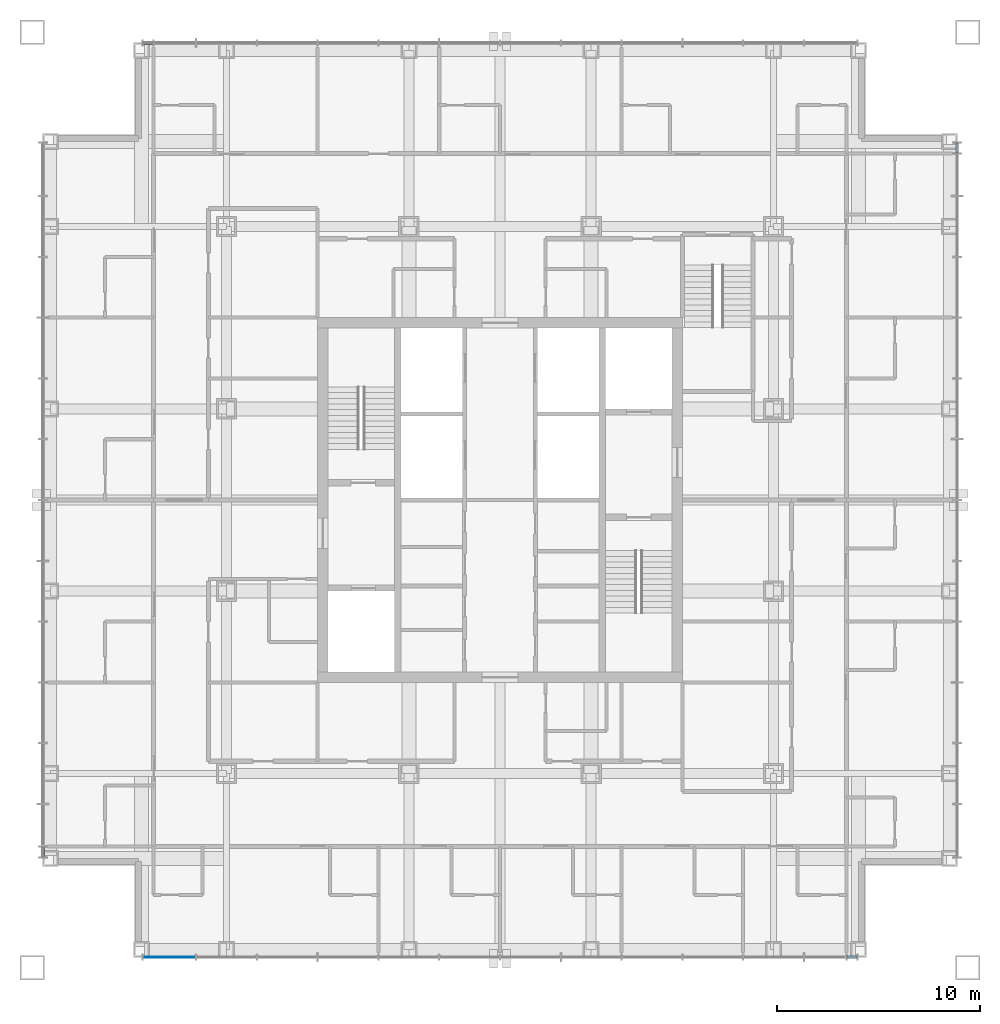
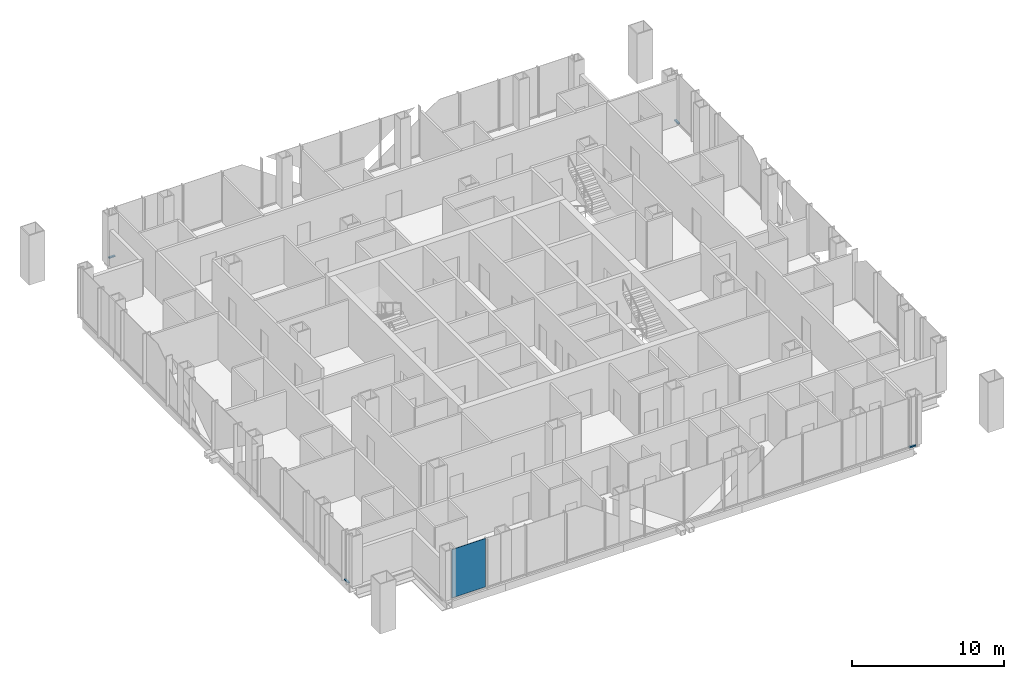
# One storey, part 6 of 17: 4 members, 1 plate, 4 elements without a shape of their own.
"""IFC4 building model written with IfcOpenShell, lengths in metres."""

from ifc_helpers import new_model, si_unit, direction, frame, origin, origin_2d, place, context, subcontext, project, spatial, rectangle, extrude, material, layer, layer_set, material_profile, profile_set, type_object, element, aggregate, save


model = new_model("IFC4")

# Units and contexts
model_context = context("Model", 3, precision=1e-05, world=origin(), true_north=direction((0.0, 1.0)))
body_context = subcontext(model_context, "Body", "Model", "MODEL_VIEW")
ifc_project = project(units=[si_unit("LENGTHUNIT", "METRE"), si_unit("AREAUNIT", "SQUARE_METRE"), si_unit("VOLUMEUNIT", "CUBIC_METRE"), si_unit("PLANEANGLEUNIT", "RADIAN"), si_unit("MASSUNIT", "GRAM", prefix="KILO")], contexts=[model_context])

# Site, building, storey
site_placement = place(None, origin())
site = spatial("IfcSite", under=ifc_project, at=site_placement, CompositionType="ELEMENT")
building_placement = place(site_placement, origin())
building = spatial("IfcBuilding", under=site, at=building_placement, Name="Malebo Sky Hospital", CompositionType="ELEMENT")
storey_placement = place(building_placement, frame((0.0, 0.0, 193.0)))
storey = spatial("IfcBuildingStorey", under=building, at=storey_placement, Name="L46", CompositionType="ELEMENT", Elevation=193.0)

# Curtain wall, member
ifc_material_1 = material(Name="Anodised aluminium, natural silver", Category="aluminium")
ifc_layer_1 = layer(ifc_material_1, 0.25)
ifc_layer_set_1 = layer_set([ifc_layer_1], Name="WARD CURTAIN WALL NORTH AND SOUTH")
curtain_wall_type_1 = type_object("IfcCurtainWallType", Name="WARD CURTAIN WALL NORTH AND SOUTH", PredefinedType="NOTDEFINED", material=ifc_layer_set_1)
curtain_wall_1_placement = place(storey_placement, origin())
curtain_wall_1 = element("IfcCurtainWall", 1, at=curtain_wall_1_placement, inside=storey, type_object=curtain_wall_type_1, Name="NS curtain wall N", PredefinedType="NOTDEFINED")
ifc_material_profile = material_profile(ifc_material_1, rectangle(XDim=0.14990234375, YDim=0.10009765625, at=origin_2d()), Name="ALUMINIUM TRANSOM 150x100")
ifc_profile_set = profile_set([ifc_material_profile], Name="Anodised aluminium, natural silver")
member_type = type_object("IfcMemberType", Name="ALUMINIUM TRANSOM 150x100", PredefinedType="USERDEFINED", material=ifc_profile_set)
member_1_placement = place(storey_placement, frame((42.375, 84.574951171875, 0.050048828125), z_axis=(1.0, 0.0, 0.0), x_axis=(0.0, 1.0, 0.0)))
member_1 = element("IfcMember", 2, at=member_1_placement, type_object=member_type, Name="Transom 1", ObjectType="TRANSOM", PredefinedType="USERDEFINED", context=body_context, shape_type="SweptSolid", body=[
    extrude(rectangle(XDim=0.14990234375, YDim=0.10009765625, at=origin_2d()), origin(), (0.0, 0.0, 1.0), 0.487548828125),
])
aggregate(curtain_wall_1, [member_1])

ifc_layer_2 = layer(ifc_material_1, 0.25)
ifc_layer_set_2 = layer_set([ifc_layer_2], Name="WARD CURTAIN WALL EAST AND WEST")
curtain_wall_type_2 = type_object("IfcCurtainWallType", Name="WARD CURTAIN WALL EAST AND WEST", PredefinedType="NOTDEFINED", material=ifc_layer_set_2)
curtain_wall_2_placement = place(storey_placement, origin())
curtain_wall_2 = element("IfcCurtainWall", 3, at=curtain_wall_2_placement, inside=storey, type_object=curtain_wall_type_2, Name="EW curtain wall W", PredefinedType="NOTDEFINED")
member_2_placement = place(storey_placement, frame((37.425048828125, 44.375, 0.050048828125), z_axis=(0.0, 1.0, 0.0), x_axis=(-1.0, 0.0, 0.0)))
member_2 = element("IfcMember", 4, at=member_2_placement, type_object=member_type, Name="Transom 1", ObjectType="TRANSOM", PredefinedType="USERDEFINED", context=body_context, shape_type="SweptSolid", body=[
    extrude(rectangle(XDim=0.14990234375, YDim=0.10009765625, at=origin_2d()), origin(), (0.0, 0.0, 1.0), 0.487548828125),
])
aggregate(curtain_wall_2, [member_2])

curtain_wall_3_placement = place(storey_placement, origin())
curtain_wall_3 = element("IfcCurtainWall", 5, at=curtain_wall_3_placement, inside=storey, type_object=curtain_wall_type_1, Name="NS curtain wall S", PredefinedType="NOTDEFINED")
member_3_placement = place(storey_placement, frame((77.625, 39.425048828125, 0.050048828125), z_axis=(-1.0, 0.0, 0.0), x_axis=(0.0, -1.0, 0.0)))
member_3 = element("IfcMember", 6, at=member_3_placement, type_object=member_type, Name="Transom 1", ObjectType="TRANSOM", PredefinedType="USERDEFINED", context=body_context, shape_type="SweptSolid", body=[
    extrude(rectangle(XDim=0.14990234375, YDim=0.10009765625, at=origin_2d()), origin(), (0.0, 0.0, 1.0), 0.487548828125),
])

curtain_wall_4_placement = place(storey_placement, origin())
curtain_wall_4 = element("IfcCurtainWall", 7, at=curtain_wall_4_placement, inside=storey, type_object=curtain_wall_type_2, Name="EW curtain wall E", PredefinedType="NOTDEFINED")
member_4_placement = place(storey_placement, frame((82.574951171875, 79.625, 0.050048828125), z_axis=(0.0, -1.0, 0.0), x_axis=(1.0, 0.0, 0.0)))
member_4 = element("IfcMember", 8, at=member_4_placement, type_object=member_type, Name="Transom 1", ObjectType="TRANSOM", PredefinedType="USERDEFINED", context=body_context, shape_type="SweptSolid", body=[
    extrude(rectangle(XDim=0.14990234375, YDim=0.10009765625, at=origin_2d()), origin(), (0.0, 0.0, 1.0), 0.487548828125),
])
aggregate(curtain_wall_4, [member_4])

# Plate
ifc_material_2 = material(Name="Clear low-iron double glazing", Category="glass")
ifc_layer_3 = layer(ifc_material_2, 0.031982421875)
ifc_layer_set_3 = layer_set([ifc_layer_3], Name="VISION PANEL CLEAR 32")
plate_type = type_object("IfcPlateType", Name="VISION PANEL CLEAR 32", PredefinedType="CURTAIN_PANEL", material=ifc_layer_set_3)
plate_placement = place(storey_placement, frame((43.668701171875, 39.425048828125, 0.10009765625), z_axis=(0.0, 0.0, 1.0), x_axis=(-1.0, 0.0, 0.0)))
plate = element("IfcPlate", 9, at=plate_placement, type_object=plate_type, Name="Panel 13", PredefinedType="CURTAIN_PANEL", context=body_context, shape_type="SweptSolid", body=[
    extrude(rectangle(XDim=2.58740234375, YDim=0.031982421875, at=origin_2d()), origin(), (0.0, 0.0, 1.0), 3.889892578125),
])

aggregate(curtain_wall_3, [member_3, plate])

save(model, "model.ifc")
